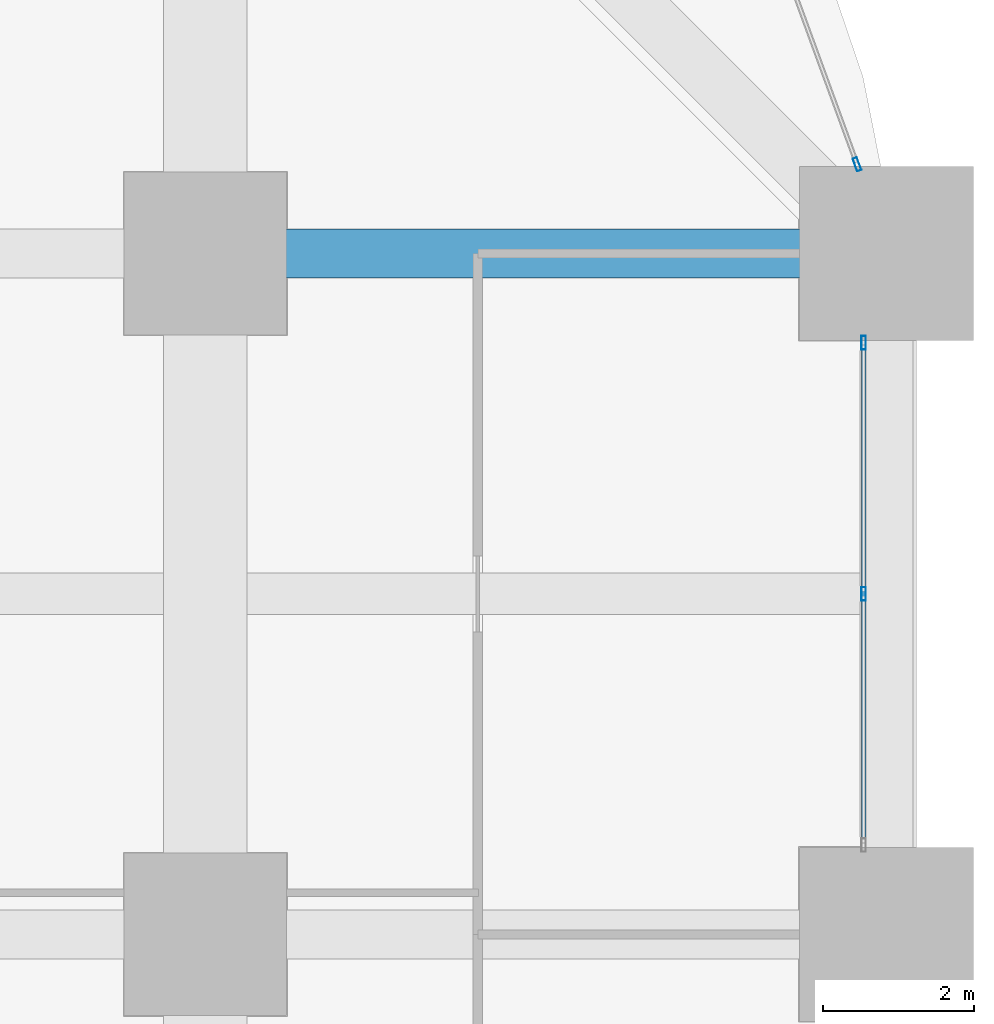
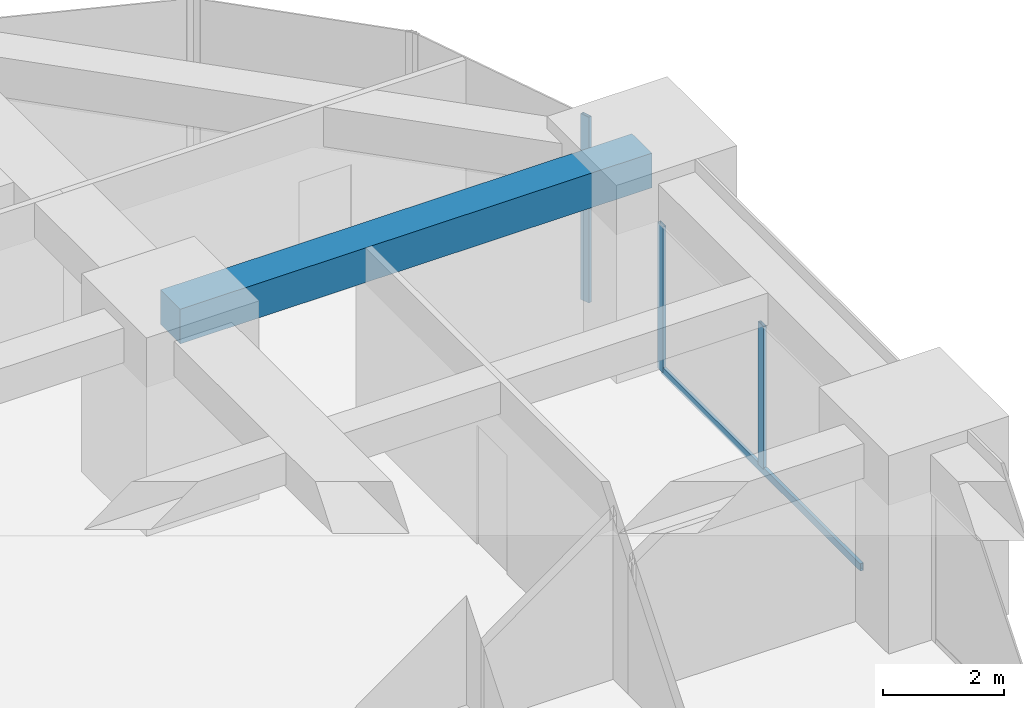
# One storey, part 34 of 44: 4 members, 1 beam, 2 elements without a shape of their own.
"""IFC4 building model written with IfcOpenShell, lengths in metres."""

import ifcopenshell
import ifcopenshell.guid

model = None  # the IFC model being written
_history = None  # IfcOwnerHistory: only IFC2X3 demands one
_inside = {}  # id of a spatial element -> (the spatial element, [elements in it])
_under = {}  # id of a project, library or spatial element -> (it, [spatial elements below it])
_declared = {}  # id of a project -> (the project, [libraries it declares])
_typed = {}  # id of a type object -> (the type object, [elements of that type])
_made_of = {}  # id of a material, layer set ... -> (it, [elements and type objects made of it])


def new_model(schema):
    """Start an empty IFC model of exactly this schema.

    Asked for "IFC4X3", IfcOpenShell would pick the latest addendum, in which some entities
    have other attributes; the version numbers below select the first issue.
    IFC2X3 requires an IfcOwnerHistory on every rooted entity: one is made here for all.
    """
    global model, _history
    if schema == "IFC4X3":
        model = ifcopenshell.file(schema_version=(4, 3, 0, 0))
    else:
        model = ifcopenshell.file(schema=schema)
    _inside.clear()
    _under.clear()
    _declared.clear()
    _typed.clear()
    _made_of.clear()
    _history = None
    if model.schema == "IFC2X3":
        org = make("IfcOrganization", Name="unknown")
        user = make(
            "IfcPersonAndOrganization",
            ThePerson=make("IfcPerson", FamilyName="unknown"),
            TheOrganization=org,
        )
        app = make(
            "IfcApplication",
            ApplicationDeveloper=org,
            Version="unknown",
            ApplicationFullName="unknown",
            ApplicationIdentifier="unknown",
        )
        _history = make(
            "IfcOwnerHistory",
            OwningUser=user,
            OwningApplication=app,
            ChangeAction="ADDED",
            CreationDate=0,
        )
    return model


def make(cls, **values):
    """One entity of the class cls with the attributes given. An attribute that is None is left unset."""
    return model.create_entity(
        cls, **{name: value for name, value in values.items() if value is not None}
    )


def rooted(cls, **values):
    """An entity with a GlobalId (a new one), such as an element, a storey or a relation."""
    return make(cls, GlobalId=ifcopenshell.guid.new(), OwnerHistory=_history, **values)


def si_unit(unit_type, name, prefix=None):
    """IfcSIUnit, for example si_unit("LENGTHUNIT", "METRE", prefix="MILLI")."""
    return make("IfcSIUnit", UnitType=unit_type, Prefix=prefix, Name=name)


def assignment(units):
    """IfcUnitAssignment: the units of a project."""
    return None if units is None else make("IfcUnitAssignment", Units=units)


def point(xyz):
    """IfcCartesianPoint."""
    return None if xyz is None else make("IfcCartesianPoint", Coordinates=xyz)


def direction(xyz):
    """IfcDirection."""
    return None if xyz is None else make("IfcDirection", DirectionRatios=xyz)


def frame(location, z_axis=None, x_axis=None):
    """IfcAxis2Placement3D, a coordinate frame: its origin and axes. An axis left out is left unset."""
    return make(
        "IfcAxis2Placement3D",
        Location=point(location),
        Axis=direction(z_axis),
        RefDirection=direction(x_axis),
    )


def frame_2d(location, x_axis=None):
    """IfcAxis2Placement2D, a coordinate frame in the plane: its origin and x axis."""
    return make(
        "IfcAxis2Placement2D", Location=point(location), RefDirection=direction(x_axis)
    )


def origin():
    """The frame at (0, 0, 0) with its axes left unset."""
    return frame((0.0, 0.0, 0.0))


def origin_2d():
    """The frame at (0, 0) in the plane with its x axis left unset."""
    return frame_2d((0.0, 0.0))


def place(relative_to, where):
    """IfcLocalPlacement: puts the frame where relative to a parent placement (None: the world)."""
    return make(
        "IfcLocalPlacement", PlacementRelTo=relative_to, RelativePlacement=where
    )


def context(
    kind, dimensions, precision=None, world=None, true_north=None, identifier=None
):
    """IfcGeometricRepresentationContext, for example the 3D "Model" context."""
    return make(
        "IfcGeometricRepresentationContext",
        ContextIdentifier=identifier,
        ContextType=kind,
        CoordinateSpaceDimension=dimensions,
        Precision=precision,
        WorldCoordinateSystem=world,
        TrueNorth=true_north,
    )


def subcontext(parent, identifier, kind, view, scale=None):
    """IfcGeometricRepresentationSubContext, for example "Body" below "Model"."""
    return make(
        "IfcGeometricRepresentationSubContext",
        ContextIdentifier=identifier,
        ContextType=kind,
        ParentContext=parent,
        TargetScale=scale,
        TargetView=view,
    )


def project(units=None, contexts=None):
    """IfcProject with its units and contexts."""
    return rooted(
        "IfcProject",
        Name="project",
        RepresentationContexts=contexts,
        UnitsInContext=assignment(units),
    )


def spatial(cls, under=None, at=None, **own):
    """A site, building, storey or space (cls), placed at a placement, below another one or the project."""
    s = rooted(cls, ObjectPlacement=at, **own)
    if under is not None:
        _under.setdefault(under.id(), (under, []))[1].append(s)
    return s


def profile(cls, at=None, kind="AREA", **sizes):
    """A parametric profile (cls). Its sizes go by their IFC names, for example OverallWidth=200.0."""
    return make(cls, ProfileType=kind, Position=at, **sizes)


def rectangle(**sizes):
    """IfcRectangleProfileDef."""
    return profile("IfcRectangleProfileDef", **sizes)


def hollow_rectangle(**sizes):
    """IfcRectangleHollowProfileDef."""
    return profile("IfcRectangleHollowProfileDef", **sizes)


def extrude(swept, where, along, depth):
    """IfcExtrudedAreaSolid: the profile swept, set in the frame where, extruded along a direction by depth."""
    return make(
        "IfcExtrudedAreaSolid",
        SweptArea=swept,
        Position=where,
        ExtrudedDirection=direction(along),
        Depth=depth,
    )


def shape(context_of_items, identifier, shape_type, items):
    """IfcShapeRepresentation: the items that make up one representation, for example the "Body"."""
    return make(
        "IfcShapeRepresentation",
        ContextOfItems=context_of_items,
        RepresentationIdentifier=identifier,
        RepresentationType=shape_type,
        Items=items,
    )


def material(Name=None, Category=None):
    """IfcMaterial."""
    return make("IfcMaterial", Name=Name, Category=Category)


def material_profile(
    of_material, cross_section, Name=None, Category=None, Priority=None
):
    """IfcMaterialProfile: a cross section and its material."""
    return make(
        "IfcMaterialProfile",
        Name=Name,
        Material=of_material,
        Profile=cross_section,
        Priority=Priority,
        Category=Category,
    )


def profile_set(profiles, Name=None, composite=None):
    """IfcMaterialProfileSet."""
    return make(
        "IfcMaterialProfileSet",
        Name=Name,
        MaterialProfiles=profiles,
        CompositeProfile=composite,
    )


def made_of(thing, what):
    """Note that an element or type object is made of a material, layer set ...; save() writes the relation."""
    if what is not None:
        _made_of.setdefault(what.id(), (what, []))[1].append(thing)
    return thing


def type_object(cls, material=None, **own):
    """A type object (cls), such as IfcWallType, which elements share."""
    return made_of(rooted(cls, **own), material)


def element(
    cls,
    number,
    at=None,
    inside=None,
    cuts=None,
    type_object=None,
    material=None,
    context=None,
    identifier="Body",
    shape_type=None,
    held_by="IfcProductDefinitionShape",
    body=None,
    shapes=None,
    **own,
):
    """One element of the class cls, such as IfcWall. Its Tag is "e" and its number.

    at: its placement. inside: the storey or other place that contains it. cuts: it is an
    opening in that element (IfcRelVoidsElement). A single representation is given by context,
    identifier, shape_type and body (its items); several are given by shapes. held_by: the class
    of the entity that holds the representations. save() writes the other relations.
    """
    e = rooted(cls, Tag="e%d" % number, ObjectPlacement=at, **own)
    if body is not None:
        shapes = [shape(context, identifier, shape_type, body)]
    if shapes is not None:
        e.Representation = make(held_by, Representations=shapes)
    if inside is not None:
        _inside.setdefault(inside.id(), (inside, []))[1].append(e)
    if cuts is not None:
        rooted(
            "IfcRelVoidsElement", RelatingBuildingElement=cuts, RelatedOpeningElement=e
        )
    if type_object is not None:
        _typed.setdefault(type_object.id(), (type_object, []))[1].append(e)
    return made_of(e, material)


def aggregate(whole, parts):
    """IfcRelAggregates: a whole, such as a stair, and the parts it consists of."""
    return rooted("IfcRelAggregates", RelatingObject=whole, RelatedObjects=parts)


def save(model, path):
    """Write the relations noted so far, then the file.

    IfcRelAggregates (storeys below a building ...), IfcRelContainedInSpatialStructure (elements
    in a storey), IfcRelDefinesByType, IfcRelAssociatesMaterial and IfcRelDeclares: one each for
    every whole, place, type object, material and project.
    """
    for whole, parts in _under.values():
        aggregate(whole, parts)
    for where, things in _inside.values():
        rooted(
            "IfcRelContainedInSpatialStructure",
            RelatedElements=things,
            RelatingStructure=where,
        )
    for kind, things in _typed.values():
        rooted("IfcRelDefinesByType", RelatedObjects=things, RelatingType=kind)
    for what, things in _made_of.values():
        rooted("IfcRelAssociatesMaterial", RelatedObjects=things, RelatingMaterial=what)
    for by, libraries in _declared.values():
        rooted("IfcRelDeclares", RelatingContext=by, RelatedDefinitions=libraries)
    model.write(path)


model = new_model("IFC4")

# Units and contexts
model_context = context("Model", 3, precision=1e-05, world=origin(), true_north=direction((0.0, 1.0)))
body_context = subcontext(model_context, "Body", "Model", "MODEL_VIEW")
ifc_project = project(units=[si_unit("LENGTHUNIT", "METRE"), si_unit("AREAUNIT", "SQUARE_METRE"), si_unit("VOLUMEUNIT", "CUBIC_METRE"), si_unit("PLANEANGLEUNIT", "RADIAN"), si_unit("MASSUNIT", "GRAM", prefix="KILO")], contexts=[model_context])

# Site, building, storey
site_placement = place(None, origin())
site = spatial("IfcSite", under=ifc_project, at=site_placement, CompositionType="ELEMENT")
building_placement = place(site_placement, origin())
building = spatial("IfcBuilding", under=site, at=building_placement, Name="Zorevar Civic Tower", CompositionType="ELEMENT")
storey_placement = place(building_placement, frame((0.0, 0.0, 55.800048828125)))
storey = spatial("IfcBuildingStorey", under=building, at=storey_placement, Name="L13", CompositionType="ELEMENT", Elevation=55.800048828125)

# Beam
ifc_material_1 = material(Name="Concrete C50/60", Category="concrete")
ifc_material_profile_1 = material_profile(ifc_material_1, rectangle(XDim=0.64990234375, YDim=0.699951171875, at=origin_2d()), Name="RC 650x700")
ifc_profile_set_1 = profile_set([ifc_material_profile_1], Name="Concrete C50/60")
beam_type = type_object("IfcBeamType", Name="Beam RC 650x700", PredefinedType="BEAM", material=ifc_profile_set_1)
beam_placement = place(storey_placement, frame((54.0, 45.0, 3.39990234375), z_axis=(1.0, 0.0, 0.0), x_axis=(0.0, 1.0, 0.0)))
element("IfcBeam", 1, at=beam_placement, inside=storey, type_object=beam_type, Name="Girder L14", PredefinedType="BEAM", context=body_context, shape_type="SweptSolid", body=[
    extrude(rectangle(XDim=0.64990234375, YDim=0.699951171875, at=origin_2d()), origin(), (0.0, 0.0, 1.0), 9.0),
])

# Curtain wall, members
ifc_material_2 = material(Name="Dark grey solar-control glass in black aluminium frame", Category="aluminium")
curtain_wall_type = type_object("IfcCurtainWallType", Name="Curtain wall CW2 low zone", PredefinedType="NOTDEFINED", material=ifc_material_2)
curtain_wall_1_placement = place(storey_placement, origin())
curtain_wall_1 = element("IfcCurtainWall", 2, at=curtain_wall_1_placement, inside=storey, type_object=curtain_wall_type, Name="CW2 L13", PredefinedType="NOTDEFINED")
ifc_material_3 = material(Name="Aluminium, black anodised", Category="aluminium")
ifc_material_profile_2 = material_profile(ifc_material_3, hollow_rectangle(XDim=0.06005859375, YDim=0.179931640625, WallThickness=0.00390625, at=origin_2d()), Name="AL 180x60x4")
ifc_profile_set_2 = profile_set([ifc_material_profile_2], Name="Aluminium, black anodised")
member_type_1 = type_object("IfcMemberType", Name="CW2 mullion AL 180x60x4", PredefinedType="MULLION", material=ifc_profile_set_2)
member_1_placement = place(storey_placement, frame((62.699951171875, 40.5, 0.06005859375), z_axis=(0.0, 0.0, 1.0), x_axis=(-1.0, 0.0, 0.0)))
member_1 = element("IfcMember", 3, at=member_1_placement, type_object=member_type_1, Name="CW2 mullion 2", PredefinedType="MULLION", context=body_context, shape_type="SweptSolid", body=[
    extrude(hollow_rectangle(XDim=0.06005859375, YDim=0.179931640625, WallThickness=0.00390625, at=origin_2d()), origin(), (0.0, 0.0, 1.0), 2.889892578125),
])
member_2_placement = place(storey_placement, frame((62.699951171875, 43.820068359375, 0.0), z_axis=(0.0, 0.0, 1.0), x_axis=(-1.0, 0.0, 0.0)))
member_2 = element("IfcMember", 4, at=member_2_placement, type_object=member_type_1, Name="CW2 mullion 3", PredefinedType="MULLION", context=body_context, shape_type="SweptSolid", body=[
    extrude(hollow_rectangle(XDim=0.06005859375, YDim=0.179931640625, WallThickness=0.00390625, at=origin_2d()), origin(), (0.0, 0.0, 1.0), 2.949951171875),
])

# Curtain wall, member
curtain_wall_2_placement = place(storey_placement, origin())
curtain_wall_2 = element("IfcCurtainWall", 5, at=curtain_wall_2_placement, inside=storey, type_object=curtain_wall_type, Name="CW2 L13", PredefinedType="NOTDEFINED")
member_3_placement = place(storey_placement, frame((62.61328125, 46.17822265625, 0.0), z_axis=(0.0, 0.0, 1.0), x_axis=(-0.939313345732, -0.343060400701, 0.0)))
member_3 = element("IfcMember", 6, at=member_3_placement, type_object=member_type_1, Name="CW2 mullion 1", PredefinedType="MULLION", context=body_context, shape_type="SweptSolid", body=[
    extrude(hollow_rectangle(XDim=0.06005859375, YDim=0.179931640625, WallThickness=0.00390625, at=origin_2d()), origin(), (0.0, 0.0, 1.0), 3.75),
])
aggregate(curtain_wall_2, [member_3])

# Member
ifc_material_4 = material(Name="Aluminium, black anodised", Category="aluminium")
ifc_material_profile_3 = material_profile(ifc_material_4, hollow_rectangle(XDim=0.06005859375, YDim=0.14990234375, WallThickness=0.00390625, at=origin_2d()), Name="AL 150x60x4")
ifc_profile_set_3 = profile_set([ifc_material_profile_3], Name="Aluminium, black anodised")
member_type_2 = type_object("IfcMemberType", Name="CW2 transom AL 150x60x4", PredefinedType="USERDEFINED", material=ifc_profile_set_3)
member_4_placement = place(storey_placement, frame((62.699951171875, 37.2099609375, 0.030029296875), z_axis=(0.0, 1.0, 0.0), x_axis=(-1.0, 0.0, 0.0)))
member_4 = element("IfcMember", 7, at=member_4_placement, type_object=member_type_2, Name="CW2 sill transom", ObjectType="TRANSOM", PredefinedType="USERDEFINED", context=body_context, shape_type="SweptSolid", body=[
    extrude(hollow_rectangle(XDim=0.06005859375, YDim=0.14990234375, WallThickness=0.00390625, at=origin_2d()), origin(), (0.0, 0.0, 1.0), 6.580078125),
])

aggregate(curtain_wall_1, [member_1, member_2, member_4])

save(model, "model.ifc")
